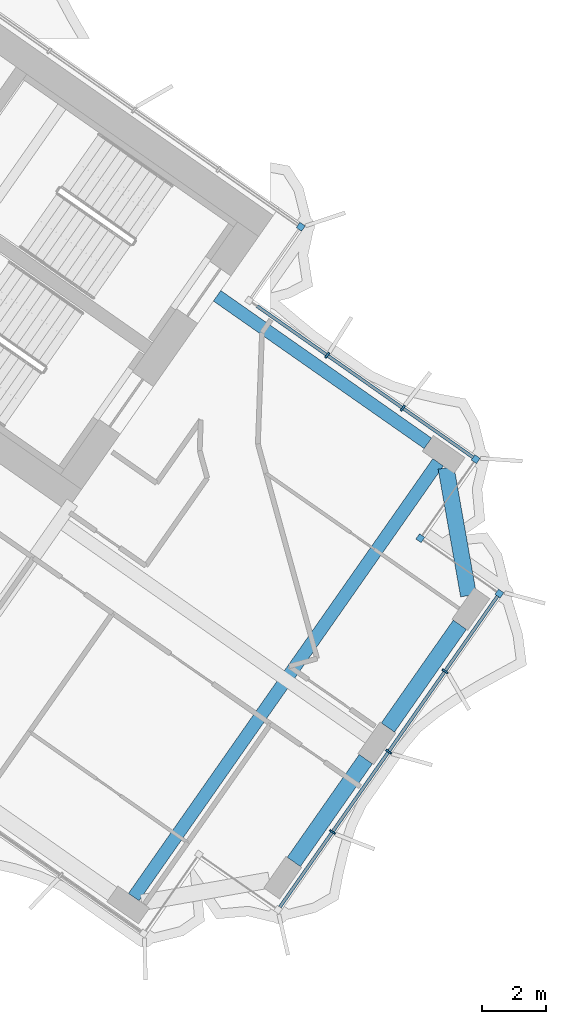
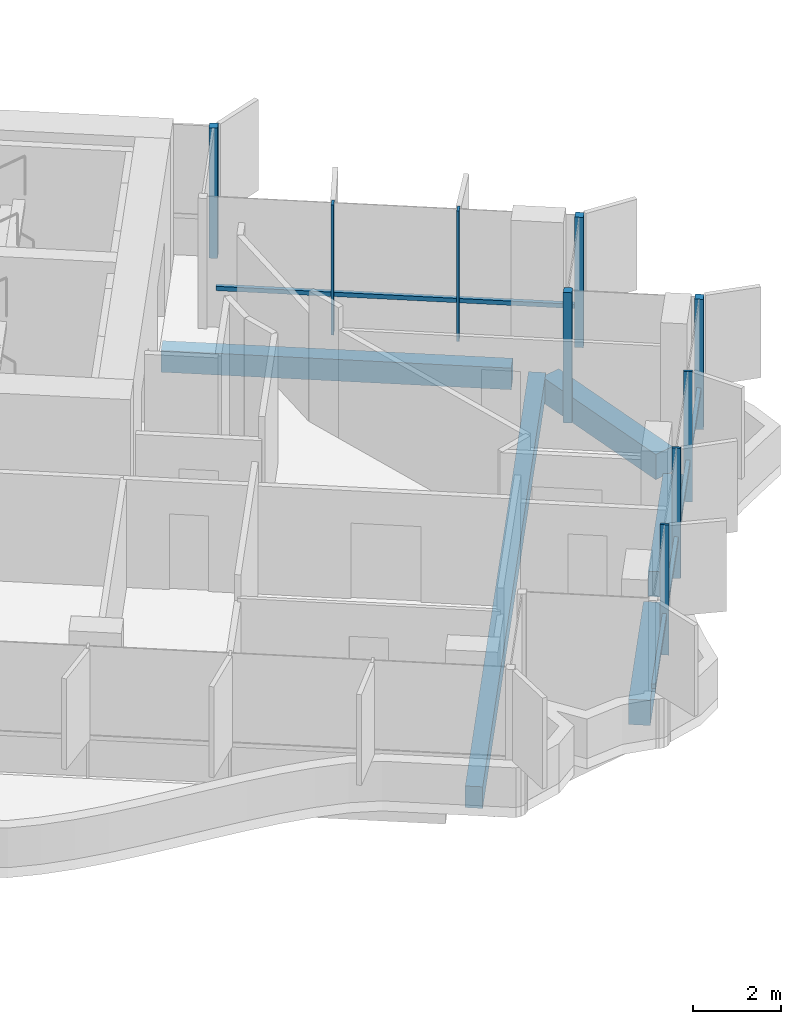
# One storey, part 9 of 21: 11 members, 5 beams, 2 elements without a shape of their own.
"""IFC4 building model written with IfcOpenShell, lengths in metres."""

import ifcopenshell
import ifcopenshell.guid

model = None  # the IFC model being written
_history = None  # IfcOwnerHistory: only IFC2X3 demands one
_inside = {}  # id of a spatial element -> (the spatial element, [elements in it])
_under = {}  # id of a project, library or spatial element -> (it, [spatial elements below it])
_declared = {}  # id of a project -> (the project, [libraries it declares])
_typed = {}  # id of a type object -> (the type object, [elements of that type])
_made_of = {}  # id of a material, layer set ... -> (it, [elements and type objects made of it])


def new_model(schema):
    """Start an empty IFC model of exactly this schema.

    Asked for "IFC4X3", IfcOpenShell would pick the latest addendum, in which some entities
    have other attributes; the version numbers below select the first issue.
    IFC2X3 requires an IfcOwnerHistory on every rooted entity: one is made here for all.
    """
    global model, _history
    if schema == "IFC4X3":
        model = ifcopenshell.file(schema_version=(4, 3, 0, 0))
    else:
        model = ifcopenshell.file(schema=schema)
    _inside.clear()
    _under.clear()
    _declared.clear()
    _typed.clear()
    _made_of.clear()
    _history = None
    if model.schema == "IFC2X3":
        org = make("IfcOrganization", Name="unknown")
        user = make(
            "IfcPersonAndOrganization",
            ThePerson=make("IfcPerson", FamilyName="unknown"),
            TheOrganization=org,
        )
        app = make(
            "IfcApplication",
            ApplicationDeveloper=org,
            Version="unknown",
            ApplicationFullName="unknown",
            ApplicationIdentifier="unknown",
        )
        _history = make(
            "IfcOwnerHistory",
            OwningUser=user,
            OwningApplication=app,
            ChangeAction="ADDED",
            CreationDate=0,
        )
    return model


def make(cls, **values):
    """One entity of the class cls with the attributes given. An attribute that is None is left unset."""
    return model.create_entity(
        cls, **{name: value for name, value in values.items() if value is not None}
    )


def rooted(cls, **values):
    """An entity with a GlobalId (a new one), such as an element, a storey or a relation."""
    return make(cls, GlobalId=ifcopenshell.guid.new(), OwnerHistory=_history, **values)


def si_unit(unit_type, name, prefix=None):
    """IfcSIUnit, for example si_unit("LENGTHUNIT", "METRE", prefix="MILLI")."""
    return make("IfcSIUnit", UnitType=unit_type, Prefix=prefix, Name=name)


def assignment(units):
    """IfcUnitAssignment: the units of a project."""
    return None if units is None else make("IfcUnitAssignment", Units=units)


def point(xyz):
    """IfcCartesianPoint."""
    return None if xyz is None else make("IfcCartesianPoint", Coordinates=xyz)


def direction(xyz):
    """IfcDirection."""
    return None if xyz is None else make("IfcDirection", DirectionRatios=xyz)


def frame(location, z_axis=None, x_axis=None):
    """IfcAxis2Placement3D, a coordinate frame: its origin and axes. An axis left out is left unset."""
    return make(
        "IfcAxis2Placement3D",
        Location=point(location),
        Axis=direction(z_axis),
        RefDirection=direction(x_axis),
    )


def frame_2d(location, x_axis=None):
    """IfcAxis2Placement2D, a coordinate frame in the plane: its origin and x axis."""
    return make(
        "IfcAxis2Placement2D", Location=point(location), RefDirection=direction(x_axis)
    )


def origin():
    """The frame at (0, 0, 0) with its axes left unset."""
    return frame((0.0, 0.0, 0.0))


def origin_2d():
    """The frame at (0, 0) in the plane with its x axis left unset."""
    return frame_2d((0.0, 0.0))


def place(relative_to, where):
    """IfcLocalPlacement: puts the frame where relative to a parent placement (None: the world)."""
    return make(
        "IfcLocalPlacement", PlacementRelTo=relative_to, RelativePlacement=where
    )


def context(
    kind, dimensions, precision=None, world=None, true_north=None, identifier=None
):
    """IfcGeometricRepresentationContext, for example the 3D "Model" context."""
    return make(
        "IfcGeometricRepresentationContext",
        ContextIdentifier=identifier,
        ContextType=kind,
        CoordinateSpaceDimension=dimensions,
        Precision=precision,
        WorldCoordinateSystem=world,
        TrueNorth=true_north,
    )


def subcontext(parent, identifier, kind, view, scale=None):
    """IfcGeometricRepresentationSubContext, for example "Body" below "Model"."""
    return make(
        "IfcGeometricRepresentationSubContext",
        ContextIdentifier=identifier,
        ContextType=kind,
        ParentContext=parent,
        TargetScale=scale,
        TargetView=view,
    )


def project(units=None, contexts=None):
    """IfcProject with its units and contexts."""
    return rooted(
        "IfcProject",
        Name="project",
        RepresentationContexts=contexts,
        UnitsInContext=assignment(units),
    )


def spatial(cls, under=None, at=None, **own):
    """A site, building, storey or space (cls), placed at a placement, below another one or the project."""
    s = rooted(cls, ObjectPlacement=at, **own)
    if under is not None:
        _under.setdefault(under.id(), (under, []))[1].append(s)
    return s


def profile(cls, at=None, kind="AREA", **sizes):
    """A parametric profile (cls). Its sizes go by their IFC names, for example OverallWidth=200.0."""
    return make(cls, ProfileType=kind, Position=at, **sizes)


def rectangle(**sizes):
    """IfcRectangleProfileDef."""
    return profile("IfcRectangleProfileDef", **sizes)


def extrude(swept, where, along, depth):
    """IfcExtrudedAreaSolid: the profile swept, set in the frame where, extruded along a direction by depth."""
    return make(
        "IfcExtrudedAreaSolid",
        SweptArea=swept,
        Position=where,
        ExtrudedDirection=direction(along),
        Depth=depth,
    )


def shape(context_of_items, identifier, shape_type, items):
    """IfcShapeRepresentation: the items that make up one representation, for example the "Body"."""
    return make(
        "IfcShapeRepresentation",
        ContextOfItems=context_of_items,
        RepresentationIdentifier=identifier,
        RepresentationType=shape_type,
        Items=items,
    )


def material(Name=None, Category=None):
    """IfcMaterial."""
    return make("IfcMaterial", Name=Name, Category=Category)


def material_profile(
    of_material, cross_section, Name=None, Category=None, Priority=None
):
    """IfcMaterialProfile: a cross section and its material."""
    return make(
        "IfcMaterialProfile",
        Name=Name,
        Material=of_material,
        Profile=cross_section,
        Priority=Priority,
        Category=Category,
    )


def profile_set(profiles, Name=None, composite=None):
    """IfcMaterialProfileSet."""
    return make(
        "IfcMaterialProfileSet",
        Name=Name,
        MaterialProfiles=profiles,
        CompositeProfile=composite,
    )


def made_of(thing, what):
    """Note that an element or type object is made of a material, layer set ...; save() writes the relation."""
    if what is not None:
        _made_of.setdefault(what.id(), (what, []))[1].append(thing)
    return thing


def type_object(cls, material=None, **own):
    """A type object (cls), such as IfcWallType, which elements share."""
    return made_of(rooted(cls, **own), material)


def element(
    cls,
    number,
    at=None,
    inside=None,
    cuts=None,
    type_object=None,
    material=None,
    context=None,
    identifier="Body",
    shape_type=None,
    held_by="IfcProductDefinitionShape",
    body=None,
    shapes=None,
    **own,
):
    """One element of the class cls, such as IfcWall. Its Tag is "e" and its number.

    at: its placement. inside: the storey or other place that contains it. cuts: it is an
    opening in that element (IfcRelVoidsElement). A single representation is given by context,
    identifier, shape_type and body (its items); several are given by shapes. held_by: the class
    of the entity that holds the representations. save() writes the other relations.
    """
    e = rooted(cls, Tag="e%d" % number, ObjectPlacement=at, **own)
    if body is not None:
        shapes = [shape(context, identifier, shape_type, body)]
    if shapes is not None:
        e.Representation = make(held_by, Representations=shapes)
    if inside is not None:
        _inside.setdefault(inside.id(), (inside, []))[1].append(e)
    if cuts is not None:
        rooted(
            "IfcRelVoidsElement", RelatingBuildingElement=cuts, RelatedOpeningElement=e
        )
    if type_object is not None:
        _typed.setdefault(type_object.id(), (type_object, []))[1].append(e)
    return made_of(e, material)


def aggregate(whole, parts):
    """IfcRelAggregates: a whole, such as a stair, and the parts it consists of."""
    return rooted("IfcRelAggregates", RelatingObject=whole, RelatedObjects=parts)


def save(model, path):
    """Write the relations noted so far, then the file.

    IfcRelAggregates (storeys below a building ...), IfcRelContainedInSpatialStructure (elements
    in a storey), IfcRelDefinesByType, IfcRelAssociatesMaterial and IfcRelDeclares: one each for
    every whole, place, type object, material and project.
    """
    for whole, parts in _under.values():
        aggregate(whole, parts)
    for where, things in _inside.values():
        rooted(
            "IfcRelContainedInSpatialStructure",
            RelatedElements=things,
            RelatingStructure=where,
        )
    for kind, things in _typed.values():
        rooted("IfcRelDefinesByType", RelatedObjects=things, RelatingType=kind)
    for what, things in _made_of.values():
        rooted("IfcRelAssociatesMaterial", RelatedObjects=things, RelatingMaterial=what)
    for by, libraries in _declared.values():
        rooted("IfcRelDeclares", RelatingContext=by, RelatedDefinitions=libraries)
    model.write(path)


model = new_model("IFC4")

# Units and contexts
model_context = context("Model", 3, precision=1e-05, world=origin(), true_north=direction((0.0, 1.0)))
body_context = subcontext(model_context, "Body", "Model", "MODEL_VIEW")
ifc_project = project(units=[si_unit("LENGTHUNIT", "METRE"), si_unit("AREAUNIT", "SQUARE_METRE"), si_unit("VOLUMEUNIT", "CUBIC_METRE"), si_unit("PLANEANGLEUNIT", "RADIAN"), si_unit("MASSUNIT", "GRAM", prefix="KILO")], contexts=[model_context])

# Site, building, storey
site_placement = place(None, origin())
site = spatial("IfcSite", under=ifc_project, at=site_placement, CompositionType="ELEMENT")
building_placement = place(site_placement, origin())
building = spatial("IfcBuilding", under=site, at=building_placement, Name="Tel Ilan Convention Tower", CompositionType="ELEMENT")
storey_placement = place(building_placement, frame((0.0, 0.0, 206.10009765625)))
storey = spatial("IfcBuildingStorey", under=building, at=storey_placement, Name="L48", CompositionType="ELEMENT", Elevation=206.10009765625)

# Beams
ifc_material_1 = material(Name="Concrete C40/50", Category="concrete")
ifc_material_profile_1 = material_profile(ifc_material_1, rectangle(XDim=0.39990234375, YDim=0.60009765625, at=origin_2d()), Name="RC 400x600")
ifc_profile_set_1 = profile_set([ifc_material_profile_1], Name="Concrete C40/50")
beam_type_1 = type_object("IfcBeamType", Name="Beam RC 400x600 Concrete C40/50", PredefinedType="BEAM", material=ifc_profile_set_1)
beam_1_placement = place(storey_placement, frame((32.771484375, -14.21826171875, -0.580078125), z_axis=(-0.819151624752, 0.573577035512, 0.0), x_axis=(-0.573577035512, -0.819151624752, 0.0)))
element("IfcBeam", 1, at=beam_1_placement, inside=storey, type_object=beam_type_1, Name="L48 beam E-E-BC-core", PredefinedType="BEAM", context=body_context, shape_type="SweptSolid", body=[
    extrude(rectangle(XDim=0.39990234375, YDim=0.60009765625, at=origin_2d()), origin(), (0.0, 0.0, 1.0), 8.0),
])
beam_2_placement = place(storey_placement, frame((23.626708984375, -28.32421875, -0.580078125), z_axis=(0.573577531157, 0.819151277697, 0.0), x_axis=(-0.819151277697, 0.573577531157, 0.0)))
element("IfcBeam", 2, at=beam_2_placement, inside=storey, type_object=beam_type_1, Name="L48 beam E-E-FC-E-BC", PredefinedType="BEAM", context=body_context, shape_type="SweptSolid", body=[
    extrude(rectangle(XDim=0.39990234375, YDim=0.60009765625, at=origin_2d()), origin(), (0.0, 0.0, 1.0), 16.500244140625),
])
ifc_material_2 = material(Name="Concrete C40/50", Category="concrete")
ifc_material_profile_2 = material_profile(ifc_material_2, rectangle(XDim=0.5, YDim=0.699951171875, at=origin_2d()), Name="RC 500x700")
ifc_profile_set_2 = profile_set([ifc_material_profile_2], Name="Concrete C40/50")
beam_type_2 = type_object("IfcBeamType", Name="Beam RC 500x700 Concrete C40/50", PredefinedType="BEAM", material=ifc_profile_set_2)
for number, where, z_axis, x_axis, name in (
    (3, (28.603759765625, -27.231201171875, -0.630126953125), (0.573609383536, 0.819128973434, 0.0), (-0.819128973434, 0.573609383536, 0.0), "L48 beam E-E-E1-E-E2"),
    (4, (31.529052734375, -23.053466796875, -0.630126953125), (0.573609383536, 0.819128973434, 0.0), (-0.819128973434, 0.573609383536, 0.0), "L48 beam E-E-E2-E-E3"),
):
    element("IfcBeam", number, at=place(storey_placement, frame(where, z_axis=z_axis, x_axis=x_axis)), inside=storey, type_object=beam_type_2, Name=name, PredefinedType="BEAM", context=body_context, shape_type="SweptSolid", body=[
        extrude(rectangle(XDim=0.5, YDim=0.699951171875, at=origin_2d()), origin(), (0.0, 0.0, 1.0), 3.89990234375),
    ])
beam_3_placement = place(storey_placement, frame((34.036376953125, -18.949462890625, -0.630126953125), z_axis=(-0.173605641124, 0.984815252405, 0.0), x_axis=(-0.984815252405, -0.173605641124, 0.0)))
element("IfcBeam", 5, at=beam_3_placement, inside=storey, type_object=beam_type_2, Name="L48 beam E-E-E3-E-BC", PredefinedType="BEAM", context=body_context, shape_type="SweptSolid", body=[
    extrude(rectangle(XDim=0.5, YDim=0.699951171875, at=origin_2d()), origin(), (0.0, 0.0, 1.0), 4.030517578125),
])

# Curtain wall, member
ifc_material_3 = material(Name="Aluminium, bronze anodised", Category="aluminium")
curtain_wall_type_1 = type_object("IfcCurtainWallType", Name="CW2 STICK CURTAIN WALL, SPANDREL PANELS", PredefinedType="NOTDEFINED", material=ifc_material_3)
curtain_wall_1_placement = place(storey_placement, origin())
curtain_wall_1 = element("IfcCurtainWall", 6, at=curtain_wall_1_placement, inside=storey, type_object=curtain_wall_type_1, Name="Curtain wall CW2-38.01", PredefinedType="NOTDEFINED")
ifc_material_4 = material(Name="Aluminium, bronze anodised", Category="aluminium")
ifc_material_profile_3 = material_profile(ifc_material_4, rectangle(XDim=0.199951171875, YDim=0.199951171875, at=origin_2d()), Name="CW CORNER MULLION 200x200")
ifc_profile_set_3 = profile_set([ifc_material_profile_3], Name="Aluminium, bronze anodised")
member_type_1 = type_object("IfcMemberType", Name="CW CORNER MULLION 200x200", PredefinedType="MULLION", material=ifc_profile_set_3)
member_1_placement = place(storey_placement, frame((28.819580078125, -7.483642578125, 0.0), z_axis=(0.0, 0.0, 1.0), x_axis=(0.573576436351, 0.819152044289, 0.0)))
member_1 = element("IfcMember", 7, at=member_1_placement, type_object=member_type_1, Name="Corner mullion", PredefinedType="MULLION", context=body_context, shape_type="SweptSolid", body=[
    extrude(rectangle(XDim=0.199951171875, YDim=0.199951171875, at=origin_2d()), origin(), (0.0, 0.0, 1.0), 3.619873046875),
])
aggregate(curtain_wall_1, [member_1])

# Curtain wall, members
ifc_material_5 = material(Name="Aluminium, bronze anodised", Category="aluminium")
curtain_wall_type_2 = type_object("IfcCurtainWallType", Name="CW4 STICK CURTAIN WALL, OFFICE TINTED GLASS", PredefinedType="NOTDEFINED", material=ifc_material_5)
curtain_wall_2_placement = place(storey_placement, origin())
curtain_wall_2 = element("IfcCurtainWall", 8, at=curtain_wall_2_placement, inside=storey, type_object=curtain_wall_type_2, Name="Curtain wall CW4-38.02", PredefinedType="NOTDEFINED")
member_2_placement = place(storey_placement, frame((34.994873046875, -18.88818359375, 0.0), z_axis=(0.0, 0.0, 1.0), x_axis=(0.573576436351, 0.819152044289, 0.0)))
member_2 = element("IfcMember", 9, at=member_2_placement, type_object=member_type_1, Name="Corner mullion", PredefinedType="MULLION", context=body_context, shape_type="SweptSolid", body=[
    extrude(rectangle(XDim=0.199951171875, YDim=0.199951171875, at=origin_2d()), origin(), (0.0, 0.0, 1.0), 3.619873046875),
])
member_3_placement = place(storey_placement, frame((32.53759765625, -17.16748046875, 0.0), z_axis=(0.0, 0.0, 1.0), x_axis=(-0.819152044289, 0.573576436351, 0.0)))
member_3 = element("IfcMember", 10, at=member_3_placement, type_object=member_type_1, Name="Corner mullion", PredefinedType="MULLION", context=body_context, shape_type="SweptSolid", body=[
    extrude(rectangle(XDim=0.199951171875, YDim=0.199951171875, at=origin_2d()), origin(), (0.0, 0.0, 1.0), 3.619873046875),
])
member_4_placement = place(storey_placement, frame((34.25830078125, -14.7099609375, 0.0), z_axis=(0.0, 0.0, 1.0), x_axis=(0.573576436351, 0.819152044289, 0.0)))
member_4 = element("IfcMember", 11, at=member_4_placement, type_object=member_type_1, Name="Corner mullion", PredefinedType="MULLION", context=body_context, shape_type="SweptSolid", body=[
    extrude(rectangle(XDim=0.199951171875, YDim=0.199951171875, at=origin_2d()), origin(), (0.0, 0.0, 1.0), 3.619873046875),
])
ifc_material_6 = material(Name="Aluminium, bronze anodised", Category="aluminium")
ifc_material_profile_4 = material_profile(ifc_material_6, rectangle(XDim=0.06005859375, YDim=0.199951171875, at=origin_2d()), Name="CW MULLION 60x200")
ifc_profile_set_4 = profile_set([ifc_material_profile_4], Name="Aluminium, bronze anodised")
member_type_2 = type_object("IfcMemberType", Name="CW MULLION 60x200", PredefinedType="MULLION", material=ifc_profile_set_4)
member_5_placement = place(storey_placement, frame((29.80419921875, -26.301513671875, 0.0), z_axis=(0.0, 0.0, 1.0), x_axis=(0.573576436351, 0.819152044289, 0.0)))
member_5 = element("IfcMember", 12, at=member_5_placement, type_object=member_type_2, Name="Mullion", PredefinedType="MULLION", context=body_context, shape_type="SweptSolid", body=[
    extrude(rectangle(XDim=0.06005859375, YDim=0.199951171875, at=origin_2d()), origin(), (0.0, 0.0, 1.0), 3.619873046875),
])
member_6_placement = place(storey_placement, frame((31.553466796875, -23.802978515625, 0.0), z_axis=(0.0, 0.0, 1.0), x_axis=(0.573576436351, 0.819152044289, 0.0)))
member_6 = element("IfcMember", 13, at=member_6_placement, type_object=member_type_2, Name="Mullion", PredefinedType="MULLION", context=body_context, shape_type="SweptSolid", body=[
    extrude(rectangle(XDim=0.06005859375, YDim=0.199951171875, at=origin_2d()), origin(), (0.0, 0.0, 1.0), 3.619873046875),
])
member_7_placement = place(storey_placement, frame((33.302978515625, -21.3046875, 0.0), z_axis=(0.0, 0.0, 1.0), x_axis=(0.573576436351, 0.819152044289, 0.0)))
member_7 = element("IfcMember", 14, at=member_7_placement, type_object=member_type_2, Name="Mullion", PredefinedType="MULLION", context=body_context, shape_type="SweptSolid", body=[
    extrude(rectangle(XDim=0.06005859375, YDim=0.199951171875, at=origin_2d()), origin(), (0.0, 0.0, 1.0), 3.619873046875),
])
member_8_placement = place(storey_placement, frame((31.991943359375, -13.123046875, 0.0), z_axis=(0.0, 0.0, 1.0), x_axis=(-0.819152044289, 0.573576436351, 0.0)))
member_8 = element("IfcMember", 15, at=member_8_placement, type_object=member_type_2, Name="Mullion", PredefinedType="MULLION", context=body_context, shape_type="SweptSolid", body=[
    extrude(rectangle(XDim=0.06005859375, YDim=0.199951171875, at=origin_2d()), origin(), (0.0, 0.0, 1.0), 3.619873046875),
])
member_9_placement = place(storey_placement, frame((29.6435546875, -11.478759765625, 0.0), z_axis=(0.0, 0.0, 1.0), x_axis=(-0.819152044289, 0.573576436351, 0.0)))
member_9 = element("IfcMember", 16, at=member_9_placement, type_object=member_type_2, Name="Mullion", PredefinedType="MULLION", context=body_context, shape_type="SweptSolid", body=[
    extrude(rectangle(XDim=0.06005859375, YDim=0.199951171875, at=origin_2d()), origin(), (0.0, 0.0, 1.0), 3.619873046875),
])
ifc_material_7 = material(Name="Aluminium, bronze anodised", Category="aluminium")
ifc_material_profile_5 = material_profile(ifc_material_7, rectangle(XDim=0.10009765625, YDim=0.1201171875, at=origin_2d()), Name="CW TRANSOM 100x120")
ifc_profile_set_5 = profile_set([ifc_material_profile_5], Name="Aluminium, bronze anodised")
member_type_3 = type_object("IfcMemberType", Name="CW TRANSOM 100x120", PredefinedType="USERDEFINED", material=ifc_profile_set_5)
member_10_placement = place(storey_placement, frame((28.16943359375, -28.635986328125, 1.099853515625), z_axis=(0.573567872435, 0.819158040741, 0.0), x_axis=(-0.819158040741, 0.573567872435, 0.0)))
member_10 = element("IfcMember", 17, at=member_10_placement, type_object=member_type_3, Name="Transom", ObjectType="TRANSOM", PredefinedType="USERDEFINED", context=body_context, shape_type="SweptSolid", body=[
    extrude(rectangle(XDim=0.10009765625, YDim=0.1201171875, at=origin_2d()), origin(), (0.0, 0.0, 1.0), 11.800048828125),
])
member_11_placement = place(storey_placement, frame((34.17626953125, -14.652587890625, 1.099853515625), z_axis=(-0.819149386388, 0.573580232209, 0.0), x_axis=(-0.573580232209, -0.819149386388, 0.0)))
member_11 = element("IfcMember", 18, at=member_11_placement, type_object=member_type_3, Name="Transom", ObjectType="TRANSOM", PredefinedType="USERDEFINED", context=body_context, shape_type="SweptSolid", body=[
    extrude(rectangle(XDim=0.10009765625, YDim=0.1201171875, at=origin_2d()), origin(), (0.0, 0.0, 1.0), 8.199951171875),
])
aggregate(curtain_wall_2, [member_5, member_6, member_7, member_2, member_10, member_3, member_4, member_8, member_9, member_11])

save(model, "model.ifc")
